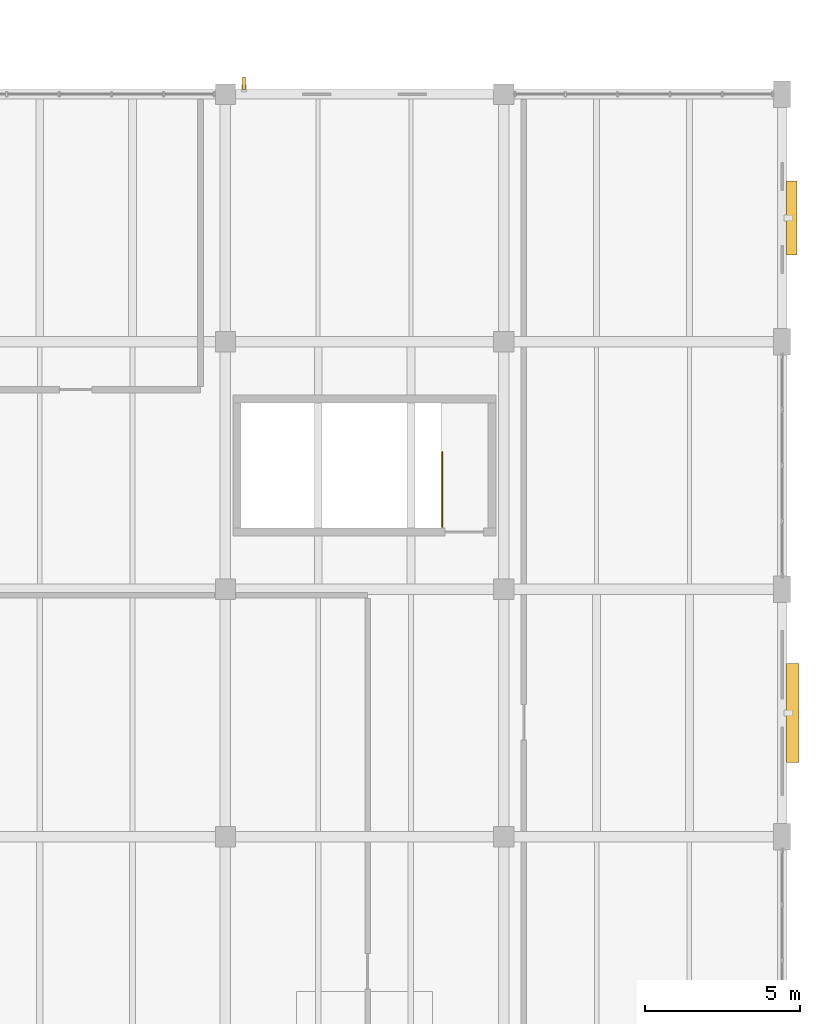
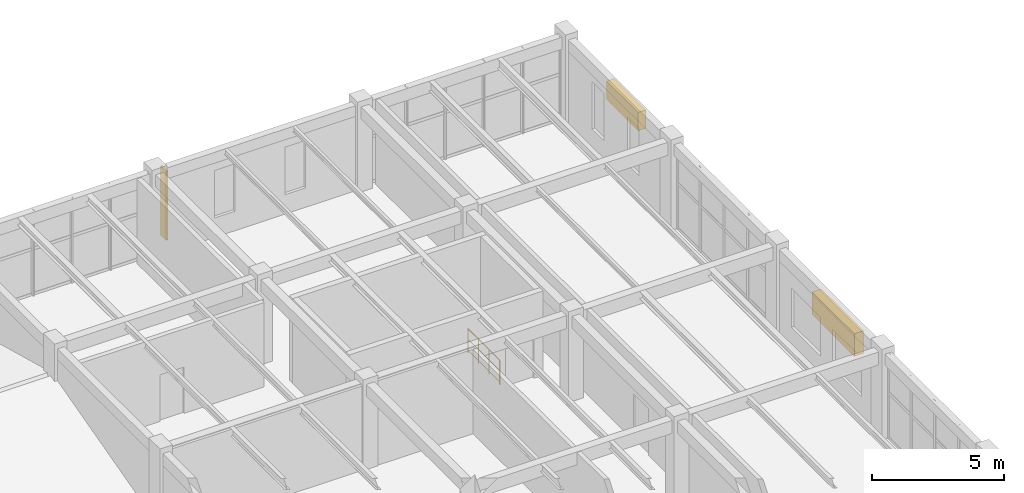
# One storey, part 70 of 71: 3 shading devices, 1 railing.
"""IFC4 building model written with IfcOpenShell, lengths in metres."""

from ifc_helpers import new_model, si_unit, derived_unit, direction, frame, origin, origin_2d, place, context, subcontext, project, spatial, rectangle, circle, extrude, material, type_object, element, save


model = new_model("IFC4")

# Units and contexts
model_context = context("Model", 3, precision=1e-05, world=origin(), true_north=direction((0.0, 1.0)))
body_context = subcontext(model_context, "Body", "Model", "MODEL_VIEW")
ifc_project = project(units=[si_unit("LENGTHUNIT", "METRE"), si_unit("AREAUNIT", "SQUARE_METRE"), si_unit("VOLUMEUNIT", "CUBIC_METRE"), si_unit("PLANEANGLEUNIT", "RADIAN"), si_unit("MASSUNIT", "GRAM", prefix="KILO"), derived_unit("THERMALTRANSMITTANCEUNIT", [(si_unit("MASSUNIT", "GRAM", prefix="KILO"), 1), (si_unit("TIMEUNIT", "SECOND"), -3), (si_unit("THERMODYNAMICTEMPERATUREUNIT", "KELVIN"), -1)])], contexts=[model_context])

# Site, building, storey
site_placement = place(None, origin())
site = spatial("IfcSite", under=ifc_project, at=site_placement, CompositionType="ELEMENT")
building_placement = place(site_placement, origin())
building = spatial("IfcBuilding", under=site, at=building_placement, Name="Zhenchuan Archway Interchange", CompositionType="ELEMENT")
storey_placement = place(building_placement, frame((0.0, 0.0, 18.60009765625)))
storey = spatial("IfcBuildingStorey", under=building, at=storey_placement, Name="L04", CompositionType="ELEMENT", Elevation=18.60009765625)

# Railing
ifc_material_1 = material(Name="Painted Galvanised Steel", Category="steel")
railing_type = type_object("IfcRailingType", Name="RL_GUARD_1150", PredefinedType="GUARDRAIL", material=ifc_material_1)
railing_placement = place(storey_placement, frame((160.014892578125, 90.014892578125, 0.0)))
element("IfcRailing", 1, at=railing_placement, inside=storey, type_object=railing_type, Name="Stair ST-O3 top landing guard (L04)", PredefinedType="GUARDRAIL", context=body_context, shape_type="SweptSolid", body=[
    extrude(circle(Radius=0.02392578125, at=origin_2d()), frame((0.0, 0.0, 1.1259765625), z_axis=(0.0, 1.0, 0.0), x_axis=(-1.0, 0.0, 0.0)), (0.0, 0.0, 1.0), 2.420166015625),
    extrude(circle(Radius=0.01611328125, at=origin_2d()), frame((0.0, 0.0, 0.63232421875), z_axis=(0.0, 1.0, 0.0), x_axis=(-1.0, 0.0, 0.0)), (0.0, 0.0, 1.0), 2.420166015625),
    extrude(circle(Radius=0.01611328125, at=origin_2d()), frame((0.0, 0.0, 0.1201171875), z_axis=(0.0, 1.0, 0.0), x_axis=(-1.0, 0.0, 0.0)), (0.0, 0.0, 1.0), 2.420166015625),
    extrude(circle(Radius=0.02099609375, at=origin_2d()), origin(), (0.0, 0.0, 1.0), 1.1259765625),
    extrude(circle(Radius=0.02099609375, at=origin_2d()), frame((0.0, 0.806640625, 0.0)), (0.0, 0.0, 1.0), 1.1259765625),
    extrude(circle(Radius=0.02099609375, at=origin_2d()), frame((0.0, 1.613525390625, 0.0)), (0.0, 0.0, 1.0), 1.1259765625),
    extrude(circle(Radius=0.02099609375, at=origin_2d()), frame((0.0, 2.420166015625, 0.0)), (0.0, 0.0, 1.0), 1.1259765625),
])

# Shading devices
ifc_material_2 = material(Name="Terracotta Ceramic", Category="masonry")
shading_device_type_1 = type_object("IfcShadingDeviceType", Name="SHD_FIN_1", PredefinedType="USERDEFINED", material=ifc_material_2)
shading_device_1_placement = place(storey_placement, frame((153.60302734375, 104.35400390625, 0.35986328125), z_axis=(0.0, 0.0, 1.0), x_axis=(1.0, 0.0, 0.0)))
element("IfcShadingDevice", 2, at=shading_device_1_placement, inside=storey, type_object=shading_device_type_1, Name="Terracotta vertical solar fin L04-132", ObjectType="FINS", PredefinedType="USERDEFINED", context=body_context, shape_type="SweptSolid", body=[
    extrude(rectangle(XDim=0.090087890625, YDim=0.419921875, at=origin_2d()), origin(), (0.0, 0.0, 1.0), 3.199951171875),
])
ifc_material_3 = material(Name="Anodised Aluminium", Category="aluminium")
shading_device_type_2 = type_object("IfcShadingDeviceType", Name="SHD_LOUVRE_2", PredefinedType="JALOUSIE", material=ifc_material_3)
shading_device_2_placement = place(storey_placement, frame((171.31396484375, 100.0, 2.52490234375), z_axis=(0.0, 0.0, 1.0), x_axis=(0.0, -1.0, 0.0)))
element("IfcShadingDevice", 3, at=shading_device_2_placement, inside=storey, type_object=shading_device_type_2, Name="Monsoon storm-louvre jalousie L04-133", PredefinedType="JALOUSIE", context=body_context, shape_type="SweptSolid", body=[
    extrude(rectangle(XDim=2.39990234375, YDim=0.340087890625, at=origin_2d()), origin(), (0.0, 0.0, 1.0), 0.85009765625),
])
shading_device_type_3 = type_object("IfcShadingDeviceType", Name="SHD_LOUVRE_3", PredefinedType="JALOUSIE", material=ifc_material_3)
shading_device_3_placement = place(storey_placement, frame((171.343994140625, 84.0, 2.02490234375), z_axis=(0.0, 0.0, 1.0), x_axis=(0.0, -1.0, 0.0)))
element("IfcShadingDevice", 4, at=shading_device_3_placement, inside=storey, type_object=shading_device_type_3, Name="Monsoon storm-louvre jalousie L04-134", PredefinedType="JALOUSIE", context=body_context, shape_type="SweptSolid", body=[
    extrude(rectangle(XDim=3.199951171875, YDim=0.39990234375, at=origin_2d()), origin(), (0.0, 0.0, 1.0), 1.050048828125),
])

save(model, "model.ifc")
